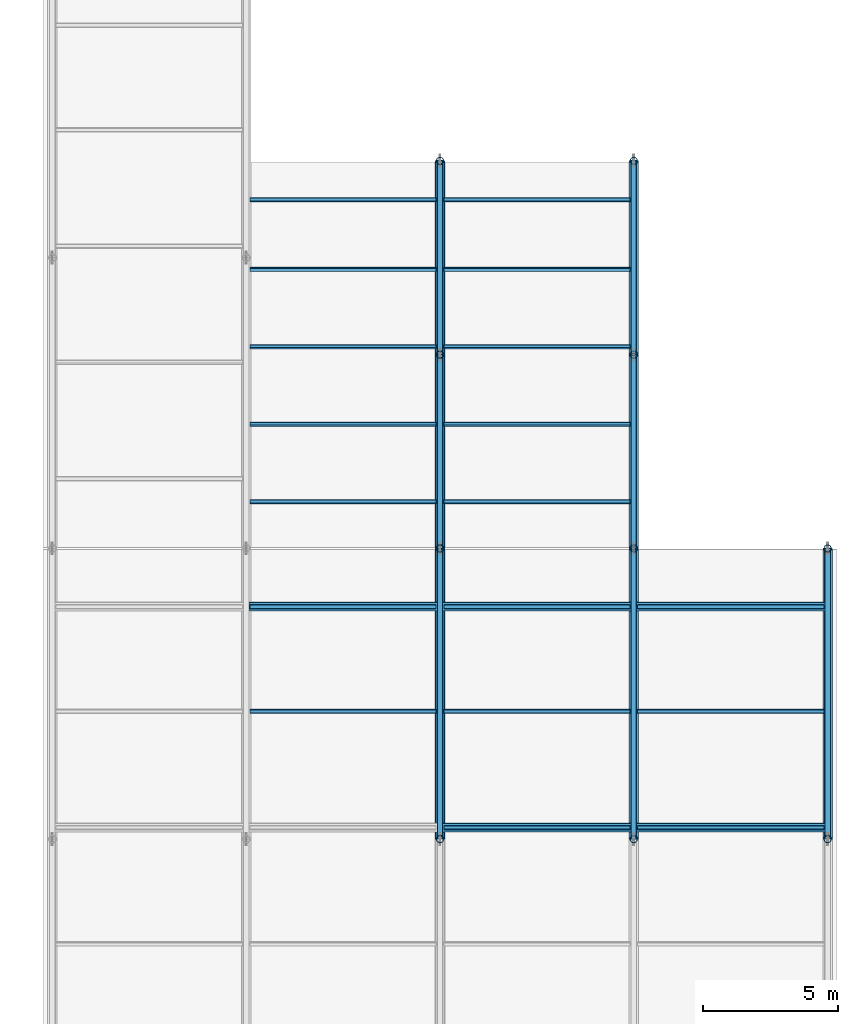
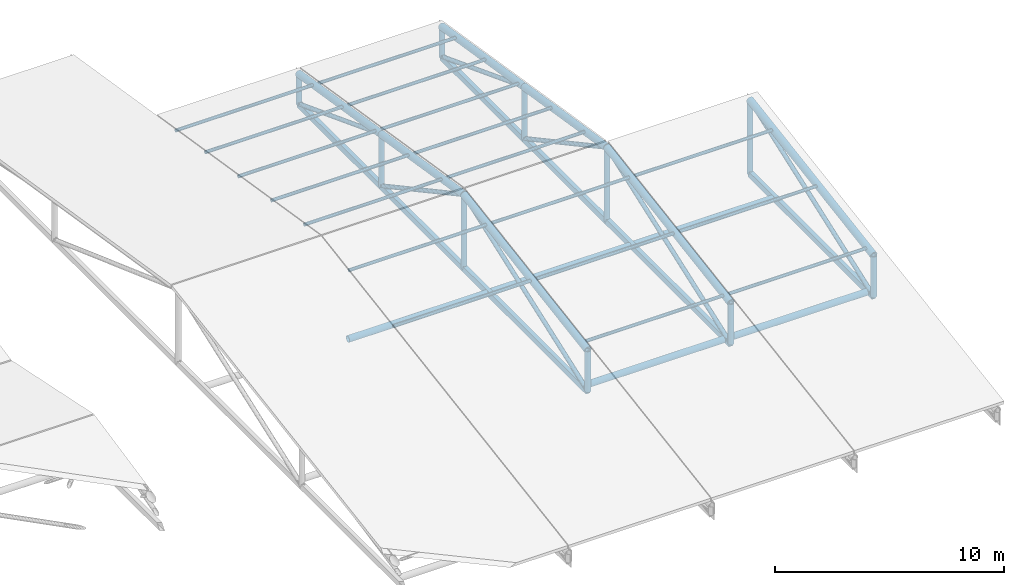
# One storey, part 41 of 72: 40 members, 14 beams.
"""IFC4 building model written with IfcOpenShell, lengths in metres."""

from ifc_helpers import new_model, si_unit, direction, frame, origin, origin_2d, place, context, subcontext, project, spatial, hollow_rectangle, hollow_circle, extrude, material, material_profile, profile_set, type_object, element, save


model = new_model("IFC4")

# Units and contexts
model_context = context("Model", 3, precision=1e-05, world=origin(), true_north=direction((0.0, 1.0)))
body_context = subcontext(model_context, "Body", "Model", "MODEL_VIEW")
ifc_project = project(units=[si_unit("LENGTHUNIT", "METRE"), si_unit("AREAUNIT", "SQUARE_METRE"), si_unit("VOLUMEUNIT", "CUBIC_METRE"), si_unit("PLANEANGLEUNIT", "RADIAN"), si_unit("MASSUNIT", "GRAM", prefix="KILO")], contexts=[model_context])

# Site, building, storey
site_placement = place(None, origin())
site = spatial("IfcSite", under=ifc_project, at=site_placement, CompositionType="ELEMENT")
building_placement = place(site_placement, origin())
building = spatial("IfcBuilding", under=site, at=building_placement, Name="Vaelcorin Mobility Hub", CompositionType="ELEMENT")
storey_placement = place(building_placement, frame((0.0, 0.0, 25.800048828125)))
storey = spatial("IfcBuildingStorey", under=building, at=storey_placement, Name="RF", CompositionType="ELEMENT", Elevation=25.800048828125)

# Members
ifc_material = material(Name="Steel ASTM A500 Grade C", Category="steel")
ifc_material_profile_1 = material_profile(ifc_material, hollow_circle(Radius=0.161865234375, WallThickness=0.0126953125, at=origin_2d()), Name="HSS12.750X0.500")
ifc_profile_set_1 = profile_set([ifc_material_profile_1], Name="Steel ASTM A500 Grade C")
member_type_1 = type_object("IfcMemberType", Name="SF-CHORD-12", PredefinedType="CHORD", material=ifc_profile_set_1)
for number, where, z_axis, x_axis, name in (
    (1, (130.89794921875, 96.239990234375, -4.199951171875), (1.0, 0.0, 0.0), (0.0, 1.0, 0.0), "V2E Drum Truss Tie Strut 2-5"),
    (2, (138.097900390625, 88.031982421875, -4.199951171875), (1.0, 0.0, 0.0), (0.0, 1.0, 0.0), "V2E Drum Truss Tie Strut 3-3"),
    (3, (138.097900390625, 96.239990234375, -4.199951171875), (1.0, 0.0, 0.0), (0.0, 1.0, 0.0), "V2E Drum Truss Tie Strut 3-5"),
):
    element("IfcMember", number, at=place(storey_placement, frame(where, z_axis=z_axis, x_axis=x_axis)), inside=storey, type_object=member_type_1, Name=name, PredefinedType="CHORD", context=body_context, shape_type="SweptSolid", body=[
        extrude(hollow_circle(Radius=0.161865234375, WallThickness=0.0126953125, at=origin_2d()), origin(), (0.0, 0.0, 1.0), 7.004150390625),
    ])
for number, where, z_axis, x_axis, name in (
    (4, (145.298095703125, 88.031982421875, -4.199951171875), (1.0, 0.0, 0.0), (0.0, 1.0, 0.0), "V2E Drum Truss Tie Strut 4-3"),
    (5, (145.298095703125, 96.239990234375, -4.199951171875), (1.0, 0.0, 0.0), (0.0, 1.0, 0.0), "V2E Drum Truss Tie Strut 4-5"),
):
    element("IfcMember", number, at=place(storey_placement, frame(where, z_axis=z_axis, x_axis=x_axis)), inside=storey, type_object=member_type_1, Name=name, PredefinedType="CHORD", context=body_context, shape_type="SweptSolid", body=[
        extrude(hollow_circle(Radius=0.161865234375, WallThickness=0.0126953125, at=origin_2d()), origin(), (0.0, 0.0, 1.0), 7.00390625),
    ])
ifc_material_profile_2 = material_profile(ifc_material, hollow_circle(Radius=0.136474609375, WallThickness=0.0126953125, at=origin_2d()), Name="HSS10.750X0.500")
ifc_profile_set_2 = profile_set([ifc_material_profile_2], Name="Steel ASTM A500 Grade C")
member_type_2 = type_object("IfcMemberType", Name="SF-POST-10", PredefinedType="POST", material=ifc_profile_set_2)
member_1_placement = place(storey_placement, frame((138.0, 87.60009765625, -4.199951171875), z_axis=(0.0, 0.0, 1.0), x_axis=(1.0, 0.0, 0.0)))
element("IfcMember", 6, at=member_1_placement, inside=storey, type_object=member_type_2, Name="V2E Drum Roof Truss Post 3-1", PredefinedType="POST", context=body_context, shape_type="SweptSolid", body=[
    extrude(hollow_circle(Radius=0.136474609375, WallThickness=0.0126953125, at=origin_2d()), origin(), (0.0, 0.0, 1.0), 2.171875),
])
member_2_placement = place(storey_placement, frame((138.0, 98.39990234375, -4.199951171875), z_axis=(0.0, 0.0, 1.0), x_axis=(1.0, 0.0, 0.0)))
element("IfcMember", 7, at=member_2_placement, inside=storey, type_object=member_type_2, Name="V2E Drum Roof Truss Post 3-2", PredefinedType="POST", context=body_context, shape_type="SweptSolid", body=[
    extrude(hollow_circle(Radius=0.136474609375, WallThickness=0.0126953125, at=origin_2d()), origin(), (0.0, 0.0, 1.0), 3.89990234375),
])
member_3_placement = place(storey_placement, frame((138.0, 105.60009765625, -4.199951171875), z_axis=(0.0, 0.0, 1.0), x_axis=(1.0, 0.0, 0.0)))
element("IfcMember", 8, at=member_3_placement, inside=storey, type_object=member_type_2, Name="V2E Drum Roof Truss Post 3-3", PredefinedType="POST", context=body_context, shape_type="SweptSolid", body=[
    extrude(hollow_circle(Radius=0.136474609375, WallThickness=0.0126953125, at=origin_2d()), origin(), (0.0, 0.0, 1.0), 2.747802734375),
])
member_4_placement = place(storey_placement, frame((138.0, 112.800048828125, -4.199951171875), z_axis=(0.0, 0.0, 1.0), x_axis=(1.0, 0.0, 0.0)))
element("IfcMember", 9, at=member_4_placement, inside=storey, type_object=member_type_2, Name="V2E Drum Roof Truss Post 3-4", PredefinedType="POST", context=body_context, shape_type="SweptSolid", body=[
    extrude(hollow_circle(Radius=0.136474609375, WallThickness=0.0126953125, at=origin_2d()), origin(), (0.0, 0.0, 1.0), 1.595947265625),
])
member_5_placement = place(storey_placement, frame((145.199951171875, 87.60009765625, -4.199951171875), z_axis=(0.0, 0.0, 1.0), x_axis=(1.0, 0.0, 0.0)))
element("IfcMember", 10, at=member_5_placement, inside=storey, type_object=member_type_2, Name="V2E Drum Roof Truss Post 4-1", PredefinedType="POST", context=body_context, shape_type="SweptSolid", body=[
    extrude(hollow_circle(Radius=0.136474609375, WallThickness=0.0126953125, at=origin_2d()), origin(), (0.0, 0.0, 1.0), 2.171875),
])
member_6_placement = place(storey_placement, frame((145.199951171875, 98.39990234375, -4.199951171875), z_axis=(0.0, 0.0, 1.0), x_axis=(1.0, 0.0, 0.0)))
element("IfcMember", 11, at=member_6_placement, inside=storey, type_object=member_type_2, Name="V2E Drum Roof Truss Post 4-2", PredefinedType="POST", context=body_context, shape_type="SweptSolid", body=[
    extrude(hollow_circle(Radius=0.136474609375, WallThickness=0.0126953125, at=origin_2d()), origin(), (0.0, 0.0, 1.0), 3.89990234375),
])
member_7_placement = place(storey_placement, frame((145.199951171875, 105.60009765625, -4.199951171875), z_axis=(0.0, 0.0, 1.0), x_axis=(1.0, 0.0, 0.0)))
element("IfcMember", 12, at=member_7_placement, inside=storey, type_object=member_type_2, Name="V2E Drum Roof Truss Post 4-3", PredefinedType="POST", context=body_context, shape_type="SweptSolid", body=[
    extrude(hollow_circle(Radius=0.136474609375, WallThickness=0.0126953125, at=origin_2d()), origin(), (0.0, 0.0, 1.0), 2.747802734375),
])
member_8_placement = place(storey_placement, frame((145.199951171875, 112.800048828125, -4.199951171875), z_axis=(0.0, 0.0, 1.0), x_axis=(1.0, 0.0, 0.0)))
element("IfcMember", 13, at=member_8_placement, inside=storey, type_object=member_type_2, Name="V2E Drum Roof Truss Post 4-4", PredefinedType="POST", context=body_context, shape_type="SweptSolid", body=[
    extrude(hollow_circle(Radius=0.136474609375, WallThickness=0.0126953125, at=origin_2d()), origin(), (0.0, 0.0, 1.0), 1.595947265625),
])
member_9_placement = place(storey_placement, frame((152.39990234375, 87.60009765625, -4.199951171875), z_axis=(0.0, 0.0, 1.0), x_axis=(1.0, 0.0, 0.0)))
element("IfcMember", 14, at=member_9_placement, inside=storey, type_object=member_type_2, Name="V2E Drum Roof Truss Post 5-1", PredefinedType="POST", context=body_context, shape_type="SweptSolid", body=[
    extrude(hollow_circle(Radius=0.136474609375, WallThickness=0.0126953125, at=origin_2d()), origin(), (0.0, 0.0, 1.0), 2.171875),
])
member_10_placement = place(storey_placement, frame((152.39990234375, 98.39990234375, -4.199951171875), z_axis=(0.0, 0.0, 1.0), x_axis=(1.0, 0.0, 0.0)))
element("IfcMember", 15, at=member_10_placement, inside=storey, type_object=member_type_2, Name="V2E Drum Roof Truss Post 5-2", PredefinedType="POST", context=body_context, shape_type="SweptSolid", body=[
    extrude(hollow_circle(Radius=0.136474609375, WallThickness=0.0126953125, at=origin_2d()), origin(), (0.0, 0.0, 1.0), 3.89990234375),
])
ifc_material_profile_3 = material_profile(ifc_material, hollow_circle(Radius=0.084228515625, WallThickness=0.0078125, at=origin_2d()), Name="HSS6.625X0.312")
ifc_profile_set_3 = profile_set([ifc_material_profile_3], Name="Steel ASTM A500 Grade C")
member_type_3 = type_object("IfcMemberType", Name="SF-PURL-6", PredefinedType="PURLIN", material=ifc_profile_set_3)
for number, where, z_axis, x_axis, name in (
    (16, (130.93994140625, 92.35205078125, -1.173095703125), (1.0, 0.0, 0.0), (0.0, 1.0, 0.0), "V2E Drum Roof Purlin 2-1-4"),
    (17, (130.93994140625, 96.239990234375, -0.551025390625), (1.0, 0.0, 0.0), (0.0, 1.0, 0.0), "V2E Drum Roof Purlin 2-1-5"),
    (18, (130.93994140625, 100.1279296875, -0.48095703125), (1.0, 0.0, 0.0), (0.0, 1.0, 0.0), "V2E Drum Roof Purlin 2-2-1"),
    (19, (130.93994140625, 103.008056640625, -0.942138671875), (1.0, 0.0, 0.0), (0.0, 1.0, 0.0), "V2E Drum Roof Purlin 2-2-2"),
    (20, (130.93994140625, 105.887939453125, -1.403076171875), (1.0, 0.0, 0.0), (0.0, 1.0, 0.0), "V2E Drum Roof Purlin 2-2-3"),
    (21, (130.93994140625, 108.76806640625, -1.864013671875), (1.0, 0.0, 0.0), (0.0, 1.0, 0.0), "V2E Drum Roof Purlin 2-2-4"),
    (22, (130.93994140625, 111.360107421875, -2.279052734375), (1.0, 0.0, 0.0), (0.0, 1.0, 0.0), "V2E Drum Roof Purlin 2-2-5"),
    (23, (138.139892578125, 88.031982421875, -1.864013671875), (1.0, 0.0, 0.0), (0.0, 1.0, 0.0), "V2E Drum Roof Purlin 3-1-3"),
    (24, (138.139892578125, 92.35205078125, -1.173095703125), (1.0, 0.0, 0.0), (0.0, 1.0, 0.0), "V2E Drum Roof Purlin 3-1-4"),
    (25, (138.139892578125, 96.239990234375, -0.551025390625), (1.0, 0.0, 0.0), (0.0, 1.0, 0.0), "V2E Drum Roof Purlin 3-1-5"),
    (26, (138.139892578125, 100.1279296875, -0.48095703125), (1.0, 0.0, 0.0), (0.0, 1.0, 0.0), "V2E Drum Roof Purlin 3-2-1"),
    (27, (138.139892578125, 103.008056640625, -0.942138671875), (1.0, 0.0, 0.0), (0.0, 1.0, 0.0), "V2E Drum Roof Purlin 3-2-2"),
    (28, (138.139892578125, 105.887939453125, -1.403076171875), (1.0, 0.0, 0.0), (0.0, 1.0, 0.0), "V2E Drum Roof Purlin 3-2-3"),
    (29, (138.139892578125, 108.76806640625, -1.864013671875), (1.0, 0.0, 0.0), (0.0, 1.0, 0.0), "V2E Drum Roof Purlin 3-2-4"),
    (30, (138.139892578125, 111.360107421875, -2.279052734375), (1.0, 0.0, 0.0), (0.0, 1.0, 0.0), "V2E Drum Roof Purlin 3-2-5"),
):
    element("IfcMember", number, at=place(storey_placement, frame(where, z_axis=z_axis, x_axis=x_axis)), inside=storey, type_object=member_type_3, Name=name, PredefinedType="PURLIN", context=body_context, shape_type="SweptSolid", body=[
        extrude(hollow_circle(Radius=0.084228515625, WallThickness=0.0078125, at=origin_2d()), origin(), (0.0, 0.0, 1.0), 6.920166015625),
    ])
for number, where, z_axis, x_axis, name in (
    (31, (145.340087890625, 88.031982421875, -1.864013671875), (1.0, 0.0, 0.0), (0.0, 1.0, 0.0), "V2E Drum Roof Purlin 4-1-3"),
    (32, (145.340087890625, 92.35205078125, -1.173095703125), (1.0, 0.0, 0.0), (0.0, 1.0, 0.0), "V2E Drum Roof Purlin 4-1-4"),
    (33, (145.340087890625, 96.239990234375, -0.551025390625), (1.0, 0.0, 0.0), (0.0, 1.0, 0.0), "V2E Drum Roof Purlin 4-1-5"),
):
    element("IfcMember", number, at=place(storey_placement, frame(where, z_axis=z_axis, x_axis=x_axis)), inside=storey, type_object=member_type_3, Name=name, PredefinedType="PURLIN", context=body_context, shape_type="SweptSolid", body=[
        extrude(hollow_circle(Radius=0.084228515625, WallThickness=0.0078125, at=origin_2d()), origin(), (0.0, 0.0, 1.0), 6.919921875),
    ])

# Beams
ifc_material_profile_4 = material_profile(ifc_material, hollow_circle(Radius=0.177734375, WallThickness=0.0126953125, at=origin_2d()), Name="HSS14.000X0.500")
ifc_profile_set_4 = profile_set([ifc_material_profile_4], Name="Steel ASTM A500 Grade C")
beam_type_1 = type_object("IfcBeamType", Name="TR-CHORD-14", PredefinedType="BEAM", material=ifc_profile_set_4)
beam_1_placement = place(storey_placement, frame((138.0, 87.60009765625, -2.028076171875), z_axis=(0.0, 0.987439796131, 0.157995724682), x_axis=(-1.0, 0.0, 0.0)))
element("IfcBeam", 34, at=beam_1_placement, inside=storey, type_object=beam_type_1, Name="V2E Drum Roof Truss Upper Chord 3-2", PredefinedType="BEAM", context=body_context, shape_type="SweptSolid", body=[
    extrude(hollow_circle(Radius=0.177734375, WallThickness=0.0126953125, at=origin_2d()), origin(), (0.0, 0.0, 1.0), 10.937255859375),
])
beam_2_placement = place(storey_placement, frame((138.0, 98.39990234375, -0.300048828125), z_axis=(0.0, 0.98743916934, -0.157999641941), x_axis=(-1.0, 0.0, 0.0)))
element("IfcBeam", 35, at=beam_2_placement, inside=storey, type_object=beam_type_1, Name="V2E Drum Roof Truss Upper Chord 3-3", PredefinedType="BEAM", context=body_context, shape_type="SweptSolid", body=[
    extrude(hollow_circle(Radius=0.177734375, WallThickness=0.0126953125, at=origin_2d()), origin(), (0.0, 0.0, 1.0), 7.291748046875),
])
beam_3_placement = place(storey_placement, frame((138.0, 105.60009765625, -1.4521484375), z_axis=(0.0, 0.987443556929, -0.157972218697), x_axis=(-1.0, 0.0, 0.0)))
element("IfcBeam", 36, at=beam_3_placement, inside=storey, type_object=beam_type_1, Name="V2E Drum Roof Truss Upper Chord 3-4", PredefinedType="BEAM", context=body_context, shape_type="SweptSolid", body=[
    extrude(hollow_circle(Radius=0.177734375, WallThickness=0.0126953125, at=origin_2d()), origin(), (0.0, 0.0, 1.0), 7.29150390625),
])
beam_4_placement = place(storey_placement, frame((145.199951171875, 87.60009765625, -2.028076171875), z_axis=(0.0, 0.987439796131, 0.157995724682), x_axis=(-1.0, 0.0, 0.0)))
element("IfcBeam", 37, at=beam_4_placement, inside=storey, type_object=beam_type_1, Name="V2E Drum Roof Truss Upper Chord 4-2", PredefinedType="BEAM", context=body_context, shape_type="SweptSolid", body=[
    extrude(hollow_circle(Radius=0.177734375, WallThickness=0.0126953125, at=origin_2d()), origin(), (0.0, 0.0, 1.0), 10.937255859375),
])
beam_5_placement = place(storey_placement, frame((145.199951171875, 98.39990234375, -0.300048828125), z_axis=(0.0, 0.98743916934, -0.157999641941), x_axis=(-1.0, 0.0, 0.0)))
element("IfcBeam", 38, at=beam_5_placement, inside=storey, type_object=beam_type_1, Name="V2E Drum Roof Truss Upper Chord 4-3", PredefinedType="BEAM", context=body_context, shape_type="SweptSolid", body=[
    extrude(hollow_circle(Radius=0.177734375, WallThickness=0.0126953125, at=origin_2d()), origin(), (0.0, 0.0, 1.0), 7.291748046875),
])
beam_6_placement = place(storey_placement, frame((145.199951171875, 105.60009765625, -1.4521484375), z_axis=(0.0, 0.987443556929, -0.157972218697), x_axis=(-1.0, 0.0, 0.0)))
element("IfcBeam", 39, at=beam_6_placement, inside=storey, type_object=beam_type_1, Name="V2E Drum Roof Truss Upper Chord 4-4", PredefinedType="BEAM", context=body_context, shape_type="SweptSolid", body=[
    extrude(hollow_circle(Radius=0.177734375, WallThickness=0.0126953125, at=origin_2d()), origin(), (0.0, 0.0, 1.0), 7.29150390625),
])
beam_7_placement = place(storey_placement, frame((152.39990234375, 87.60009765625, -2.028076171875), z_axis=(0.0, 0.987439796131, 0.157995724682), x_axis=(-1.0, 0.0, 0.0)))
element("IfcBeam", 40, at=beam_7_placement, inside=storey, type_object=beam_type_1, Name="V2E Drum Roof Truss Upper Chord 5-2", PredefinedType="BEAM", context=body_context, shape_type="SweptSolid", body=[
    extrude(hollow_circle(Radius=0.177734375, WallThickness=0.0126953125, at=origin_2d()), origin(), (0.0, 0.0, 1.0), 10.937255859375),
])
ifc_material_profile_5 = material_profile(ifc_material, hollow_rectangle(XDim=0.203125, YDim=0.3046875, WallThickness=0.01171875, at=origin_2d()), Name="HSS12X8X0.500")
ifc_profile_set_5 = profile_set([ifc_material_profile_5], Name="Steel ASTM A500 Grade C")
beam_type_2 = type_object("IfcBeamType", Name="TR-CHORD-RHS12", PredefinedType="BEAM", material=ifc_profile_set_5)
beam_8_placement = place(storey_placement, frame((138.0, 87.60009765625, -4.199951171875), z_axis=(0.0, 1.0, 0.0), x_axis=(-1.0, 0.0, 0.0)))
element("IfcBeam", 41, at=beam_8_placement, inside=storey, type_object=beam_type_2, Name="V2E Drum Roof Truss Lower Chord 3-2", PredefinedType="BEAM", context=body_context, shape_type="SweptSolid", body=[
    extrude(hollow_rectangle(XDim=0.203125, YDim=0.3046875, WallThickness=0.01171875, at=origin_2d()), origin(), (0.0, 0.0, 1.0), 10.7998046875),
])
beam_9_placement = place(storey_placement, frame((138.0, 98.39990234375, -4.199951171875), z_axis=(0.0, 1.0, 0.0), x_axis=(-1.0, 0.0, 0.0)))
element("IfcBeam", 42, at=beam_9_placement, inside=storey, type_object=beam_type_2, Name="V2E Drum Roof Truss Lower Chord 3-3", PredefinedType="BEAM", context=body_context, shape_type="SweptSolid", body=[
    extrude(hollow_rectangle(XDim=0.203125, YDim=0.3046875, WallThickness=0.01171875, at=origin_2d()), origin(), (0.0, 0.0, 1.0), 7.2001953125),
])
beam_10_placement = place(storey_placement, frame((138.0, 105.60009765625, -4.199951171875), z_axis=(0.0, 1.0, 0.0), x_axis=(-1.0, 0.0, 0.0)))
element("IfcBeam", 43, at=beam_10_placement, inside=storey, type_object=beam_type_2, Name="V2E Drum Roof Truss Lower Chord 3-4", PredefinedType="BEAM", context=body_context, shape_type="SweptSolid", body=[
    extrude(hollow_rectangle(XDim=0.203125, YDim=0.3046875, WallThickness=0.01171875, at=origin_2d()), origin(), (0.0, 0.0, 1.0), 7.199951171875),
])
beam_11_placement = place(storey_placement, frame((145.199951171875, 87.60009765625, -4.199951171875), z_axis=(0.0, 1.0, 0.0), x_axis=(-1.0, 0.0, 0.0)))
element("IfcBeam", 44, at=beam_11_placement, inside=storey, type_object=beam_type_2, Name="V2E Drum Roof Truss Lower Chord 4-2", PredefinedType="BEAM", context=body_context, shape_type="SweptSolid", body=[
    extrude(hollow_rectangle(XDim=0.203125, YDim=0.3046875, WallThickness=0.01171875, at=origin_2d()), origin(), (0.0, 0.0, 1.0), 10.7998046875),
])
beam_12_placement = place(storey_placement, frame((145.199951171875, 98.39990234375, -4.199951171875), z_axis=(0.0, 1.0, 0.0), x_axis=(-1.0, 0.0, 0.0)))
element("IfcBeam", 45, at=beam_12_placement, inside=storey, type_object=beam_type_2, Name="V2E Drum Roof Truss Lower Chord 4-3", PredefinedType="BEAM", context=body_context, shape_type="SweptSolid", body=[
    extrude(hollow_rectangle(XDim=0.203125, YDim=0.3046875, WallThickness=0.01171875, at=origin_2d()), origin(), (0.0, 0.0, 1.0), 7.2001953125),
])
beam_13_placement = place(storey_placement, frame((145.199951171875, 105.60009765625, -4.199951171875), z_axis=(0.0, 1.0, 0.0), x_axis=(-1.0, 0.0, 0.0)))
element("IfcBeam", 46, at=beam_13_placement, inside=storey, type_object=beam_type_2, Name="V2E Drum Roof Truss Lower Chord 4-4", PredefinedType="BEAM", context=body_context, shape_type="SweptSolid", body=[
    extrude(hollow_rectangle(XDim=0.203125, YDim=0.3046875, WallThickness=0.01171875, at=origin_2d()), origin(), (0.0, 0.0, 1.0), 7.199951171875),
])
beam_14_placement = place(storey_placement, frame((152.39990234375, 87.60009765625, -4.199951171875), z_axis=(0.0, 1.0, 0.0), x_axis=(-1.0, 0.0, 0.0)))
element("IfcBeam", 47, at=beam_14_placement, inside=storey, type_object=beam_type_2, Name="V2E Drum Roof Truss Lower Chord 5-2", PredefinedType="BEAM", context=body_context, shape_type="SweptSolid", body=[
    extrude(hollow_rectangle(XDim=0.203125, YDim=0.3046875, WallThickness=0.01171875, at=origin_2d()), origin(), (0.0, 0.0, 1.0), 10.7998046875),
])

# Members
ifc_material_profile_6 = material_profile(ifc_material, hollow_circle(Radius=0.109619140625, WallThickness=0.009521484375, at=origin_2d()), Name="HSS8.625X0.375")
ifc_profile_set_6 = profile_set([ifc_material_profile_6], Name="Steel ASTM A500 Grade C")
member_type_4 = type_object("IfcMemberType", Name="TR-WEB-8", PredefinedType="BRACE", material=ifc_profile_set_6)
member_11_placement = place(storey_placement, frame((138.0, 87.60009765625, -4.199951171875), z_axis=(0.0, 0.940554654389, 0.33964237384), x_axis=(-1.0, 0.0, 0.0)))
element("IfcMember", 48, at=member_11_placement, inside=storey, type_object=member_type_4, Name="V2E Drum Roof Truss Web Diagonal 3-2", PredefinedType="BRACE", context=body_context, shape_type="SweptSolid", body=[
    extrude(hollow_circle(Radius=0.109619140625, WallThickness=0.009521484375, at=origin_2d()), origin(), (0.0, 0.0, 1.0), 11.482421875),
])
member_12_placement = place(storey_placement, frame((138.0, 98.39990234375, -0.300048828125), z_axis=(0.0, 0.879302371543, -0.476263938798), x_axis=(-1.0, 0.0, 0.0)))
element("IfcMember", 49, at=member_12_placement, inside=storey, type_object=member_type_4, Name="V2E Drum Roof Truss Web Diagonal 3-3", PredefinedType="BRACE", context=body_context, shape_type="SweptSolid", body=[
    extrude(hollow_circle(Radius=0.109619140625, WallThickness=0.009521484375, at=origin_2d()), origin(), (0.0, 0.0, 1.0), 8.1884765625),
])
member_13_placement = place(storey_placement, frame((138.0, 105.60009765625, -1.4521484375), z_axis=(0.0, 0.934273271178, -0.356557786006), x_axis=(-1.0, 0.0, 0.0)))
element("IfcMember", 50, at=member_13_placement, inside=storey, type_object=member_type_4, Name="V2E Drum Roof Truss Web Diagonal 3-4", PredefinedType="BRACE", context=body_context, shape_type="SweptSolid", body=[
    extrude(hollow_circle(Radius=0.109619140625, WallThickness=0.009521484375, at=origin_2d()), origin(), (0.0, 0.0, 1.0), 7.70654296875),
])
member_14_placement = place(storey_placement, frame((145.199951171875, 87.60009765625, -4.199951171875), z_axis=(0.0, 0.940554654389, 0.33964237384), x_axis=(-1.0, 0.0, 0.0)))
element("IfcMember", 51, at=member_14_placement, inside=storey, type_object=member_type_4, Name="V2E Drum Roof Truss Web Diagonal 4-2", PredefinedType="BRACE", context=body_context, shape_type="SweptSolid", body=[
    extrude(hollow_circle(Radius=0.109619140625, WallThickness=0.009521484375, at=origin_2d()), origin(), (0.0, 0.0, 1.0), 11.482421875),
])
member_15_placement = place(storey_placement, frame((145.199951171875, 98.39990234375, -0.300048828125), z_axis=(0.0, 0.879302371543, -0.476263938798), x_axis=(-1.0, 0.0, 0.0)))
element("IfcMember", 52, at=member_15_placement, inside=storey, type_object=member_type_4, Name="V2E Drum Roof Truss Web Diagonal 4-3", PredefinedType="BRACE", context=body_context, shape_type="SweptSolid", body=[
    extrude(hollow_circle(Radius=0.109619140625, WallThickness=0.009521484375, at=origin_2d()), origin(), (0.0, 0.0, 1.0), 8.1884765625),
])
member_16_placement = place(storey_placement, frame((145.199951171875, 105.60009765625, -1.4521484375), z_axis=(0.0, 0.934273271178, -0.356557786006), x_axis=(-1.0, 0.0, 0.0)))
element("IfcMember", 53, at=member_16_placement, inside=storey, type_object=member_type_4, Name="V2E Drum Roof Truss Web Diagonal 4-4", PredefinedType="BRACE", context=body_context, shape_type="SweptSolid", body=[
    extrude(hollow_circle(Radius=0.109619140625, WallThickness=0.009521484375, at=origin_2d()), origin(), (0.0, 0.0, 1.0), 7.70654296875),
])
member_17_placement = place(storey_placement, frame((152.39990234375, 87.60009765625, -4.199951171875), z_axis=(0.0, 0.940554654389, 0.33964237384), x_axis=(-1.0, 0.0, 0.0)))
element("IfcMember", 54, at=member_17_placement, inside=storey, type_object=member_type_4, Name="V2E Drum Roof Truss Web Diagonal 5-2", PredefinedType="BRACE", context=body_context, shape_type="SweptSolid", body=[
    extrude(hollow_circle(Radius=0.109619140625, WallThickness=0.009521484375, at=origin_2d()), origin(), (0.0, 0.0, 1.0), 11.482421875),
])

save(model, "model.ifc")
